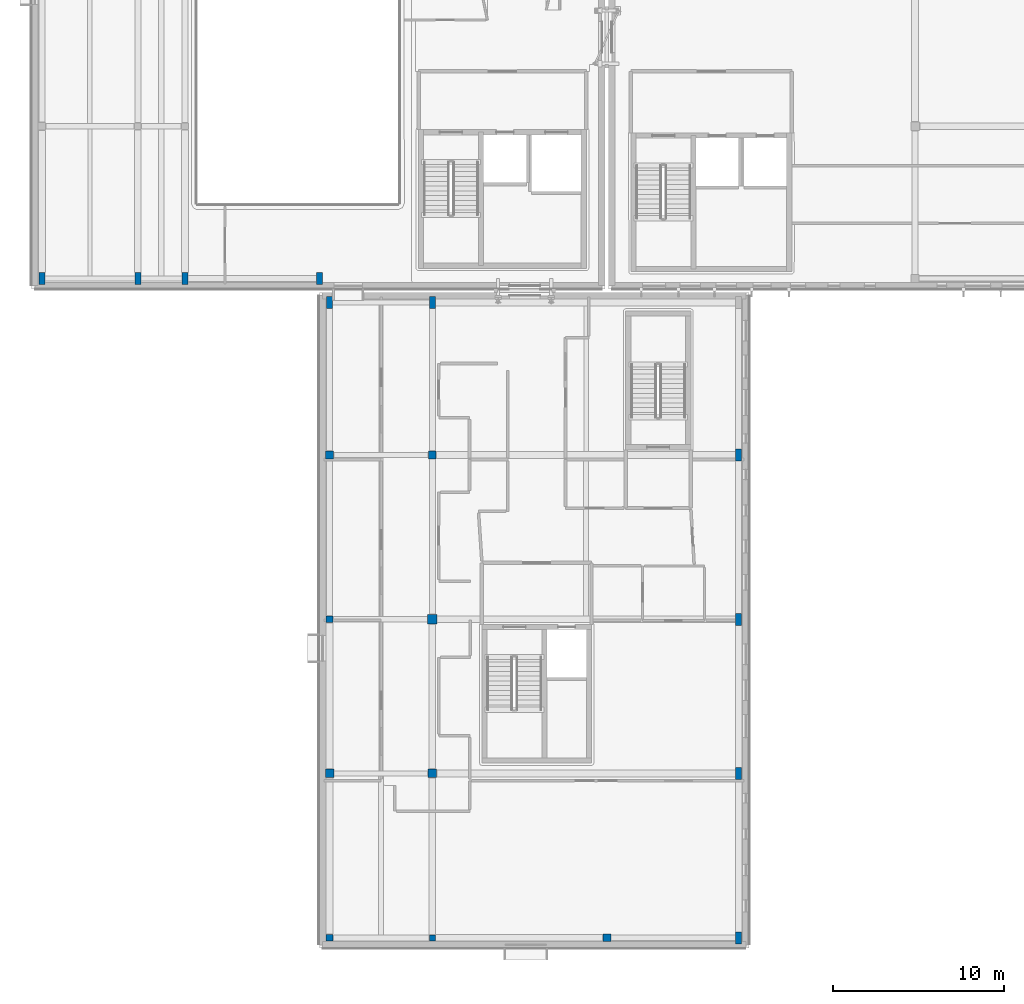
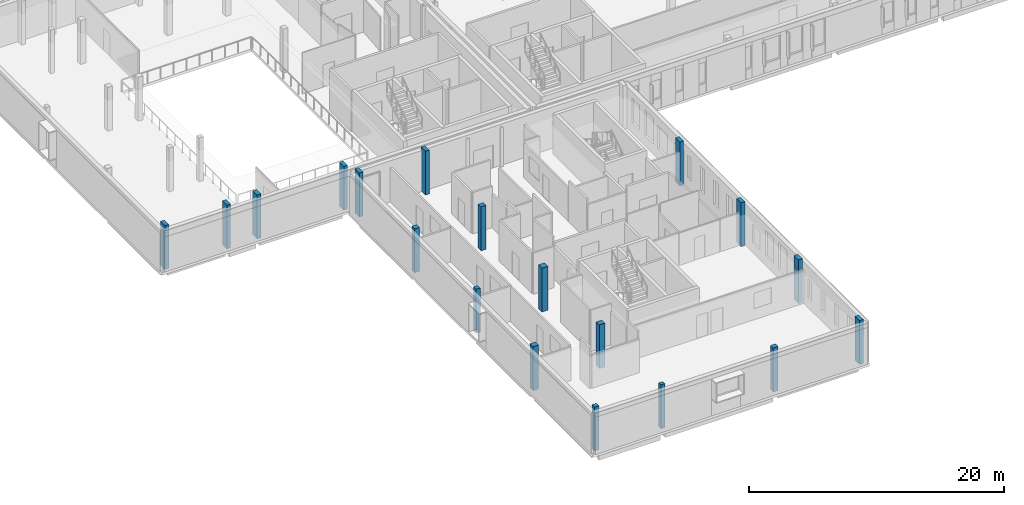
# One storey, part 1 of 84: 19 columns.
"""IFC4 building model written with IfcOpenShell, lengths in metres."""

from ifc_helpers import new_model, si_unit, direction, frame, origin, origin_2d, place, context, subcontext, project, spatial, rectangle, extrude, material, material_profile, profile_set, type_object, element, save


model = new_model("IFC4")

# Units and contexts
model_context = context("Model", 3, precision=1e-05, world=origin(), true_north=direction((0.0, 1.0)))
body_context = subcontext(model_context, "Body", "Model", "MODEL_VIEW")
ifc_project = project(units=[si_unit("LENGTHUNIT", "METRE"), si_unit("AREAUNIT", "SQUARE_METRE"), si_unit("VOLUMEUNIT", "CUBIC_METRE"), si_unit("PLANEANGLEUNIT", "RADIAN"), si_unit("MASSUNIT", "GRAM", prefix="KILO")], contexts=[model_context])

# Site, building, storey
site_placement = place(None, origin())
site = spatial("IfcSite", under=ifc_project, at=site_placement, CompositionType="ELEMENT")
building_placement = place(site_placement, origin())
building = spatial("IfcBuilding", under=site, at=building_placement, Name="Mzevani Central Library", CompositionType="ELEMENT")
storey_placement = place(building_placement, frame((0.0, 0.0, 5.39990234375)))
storey = spatial("IfcBuildingStorey", under=building, at=storey_placement, Name="L01", CompositionType="ELEMENT", Elevation=5.39990234375)

# Columns
ifc_material = material(Name="Concrete C40/50", Category="concrete")
ifc_material_profile_1 = material_profile(ifc_material, rectangle(XDim=0.35009765625, YDim=0.35009765625, at=origin_2d()), Name="RC 350x350")
ifc_profile_set_1 = profile_set([ifc_material_profile_1], Name="Concrete C40/50")
column_type_1 = type_object("IfcColumnType", Name="Column RC 350x350", PredefinedType="COLUMN", material=ifc_profile_set_1)
column_1_placement = place(storey_placement, frame((35.800048828125, 4.60009765625, 0.0), z_axis=(0.0, 0.0, 1.0), x_axis=(1.0, 0.0, 0.0)))
element("IfcColumn", 1, at=column_1_placement, inside=storey, type_object=column_type_1, Name="L01 V4 Column C-01 (171)", PredefinedType="COLUMN", context=body_context, shape_type="SweptSolid", body=[
    extrude(rectangle(XDim=0.35009765625, YDim=0.35009765625, at=origin_2d()), origin(), (0.0, 0.0, 1.0), 4.2001953125),
])
ifc_material_profile_2 = material_profile(ifc_material, rectangle(XDim=0.39990234375, YDim=0.39990234375, at=origin_2d()), Name="RC 400x400")
ifc_profile_set_2 = profile_set([ifc_material_profile_2], Name="Concrete C40/50")
column_type_2 = type_object("IfcColumnType", Name="Column RC 400x400", PredefinedType="COLUMN", material=ifc_profile_set_2)
for number, where, z_axis, x_axis, name in (
    (2, (29.800048828125, 4.60009765625, 0.0), (0.0, 0.0, 1.0), (1.0, 0.0, 0.0), "L01 V4 Column C-02 (166)"),
    (3, (29.800048828125, 23.199951171875, 0.0), (0.0, 0.0, 1.0), (1.0, 0.0, 0.0), "L01 V4 Column C-02 (168)"),
):
    element("IfcColumn", number, at=place(storey_placement, frame(where, z_axis=z_axis, x_axis=x_axis)), inside=storey, type_object=column_type_2, Name=name, PredefinedType="COLUMN", context=body_context, shape_type="SweptSolid", body=[
        extrude(rectangle(XDim=0.39990234375, YDim=0.39990234375, at=origin_2d()), origin(), (0.0, 0.0, 1.0), 4.2001953125),
    ])
ifc_material_profile_3 = material_profile(ifc_material, rectangle(XDim=0.449951171875, YDim=0.449951171875, at=origin_2d()), Name="RC 450x450")
ifc_profile_set_3 = profile_set([ifc_material_profile_3], Name="Concrete C40/50")
column_type_3 = type_object("IfcColumnType", Name="Column RC 450x450", PredefinedType="COLUMN", material=ifc_profile_set_3)
for number, where, z_axis, x_axis, name in (
    (4, (29.800048828125, 32.800048828125, 0.0), (0.0, 0.0, 1.0), (1.0, 0.0, 0.0), "L01 V4 Column C-03 (169)"),
    (5, (35.800048828125, 32.800048828125, 0.0), (0.0, 0.0, 1.0), (1.0, 0.0, 0.0), "L01 V4 Column C-03 (174)"),
    (6, (46.0, 4.60009765625, 0.0), (0.0, 0.0, 1.0), (1.0, 0.0, 0.0), "L01 V4 Column C-03 (176)"),
):
    element("IfcColumn", number, at=place(storey_placement, frame(where, z_axis=z_axis, x_axis=x_axis)), inside=storey, type_object=column_type_3, Name=name, PredefinedType="COLUMN", context=body_context, shape_type="SweptSolid", body=[
        extrude(rectangle(XDim=0.449951171875, YDim=0.449951171875, at=origin_2d()), origin(), (0.0, 0.0, 1.0), 4.2001953125),
    ])
ifc_material_profile_4 = material_profile(ifc_material, rectangle(XDim=0.5, YDim=0.5, at=origin_2d()), Name="RC 500x500")
ifc_profile_set_4 = profile_set([ifc_material_profile_4], Name="Concrete C40/50")
column_type_4 = type_object("IfcColumnType", Name="Column RC 500x500", PredefinedType="COLUMN", material=ifc_profile_set_4)
for number, where, z_axis, x_axis, name in (
    (7, (29.800048828125, 14.199951171875, 0.0), (0.0, 0.0, 1.0), (1.0, 0.0, 0.0), "L01 V4 Column C-04 (167)"),
    (8, (35.800048828125, 14.199951171875, 0.0), (0.0, 0.0, 1.0), (1.0, 0.0, 0.0), "L01 V4 Column C-04 (172)"),
):
    element("IfcColumn", number, at=place(storey_placement, frame(where, z_axis=z_axis, x_axis=x_axis)), inside=storey, type_object=column_type_4, Name=name, PredefinedType="COLUMN", context=body_context, shape_type="SweptSolid", body=[
        extrude(rectangle(XDim=0.5, YDim=0.5, at=origin_2d()), origin(), (0.0, 0.0, 1.0), 4.2001953125),
    ])
ifc_material_profile_5 = material_profile(ifc_material, rectangle(XDim=0.550048828125, YDim=0.550048828125, at=origin_2d()), Name="RC 550x550")
ifc_profile_set_5 = profile_set([ifc_material_profile_5], Name="Concrete C40/50")
column_type_5 = type_object("IfcColumnType", Name="Column RC 550x550", PredefinedType="COLUMN", material=ifc_profile_set_5)
column_2_placement = place(storey_placement, frame((35.800048828125, 23.199951171875, 0.0), z_axis=(0.0, 0.0, 1.0), x_axis=(1.0, 0.0, 0.0)))
element("IfcColumn", 9, at=column_2_placement, inside=storey, type_object=column_type_5, Name="L01 V4 Column C-05 (173)", PredefinedType="COLUMN", context=body_context, shape_type="SweptSolid", body=[
    extrude(rectangle(XDim=0.550048828125, YDim=0.550048828125, at=origin_2d()), origin(), (0.0, 0.0, 1.0), 4.2001953125),
])
ifc_material_profile_6 = material_profile(ifc_material, rectangle(XDim=0.35009765625, YDim=0.699951171875, at=origin_2d()), Name="RC 350x700")
ifc_profile_set_6 = profile_set([ifc_material_profile_6], Name="Concrete C40/50")
column_type_6 = type_object("IfcColumnType", Name="Joint Twin Column RC 350x700", PredefinedType="COLUMN", material=ifc_profile_set_6)
for number, where, z_axis, x_axis, name in (
    (10, (29.800048828125, 41.699951171875, 0.0), (0.0, 0.0, 1.0), (1.0, 0.0, 0.0), "L01 V4 Column C-18 (170)"),
    (11, (35.800048828125, 41.699951171875, 0.0), (0.0, 0.0, 1.0), (1.0, 0.0, 0.0), "L01 V4 Column C-18 (175)"),
    (12, (53.699951171875, 4.60009765625, 0.0), (0.0, 0.0, 1.0), (1.0, 0.0, 0.0), "L01 V4 Column C-18 (177)"),
    (13, (53.699951171875, 14.199951171875, 0.0), (0.0, 0.0, 1.0), (1.0, 0.0, 0.0), "L01 V4 Column C-18 (178)"),
    (14, (53.699951171875, 23.199951171875, 0.0), (0.0, 0.0, 1.0), (1.0, 0.0, 0.0), "L01 V4 Column C-18 (179)"),
    (15, (53.699951171875, 32.800048828125, 0.0), (0.0, 0.0, 1.0), (1.0, 0.0, 0.0), "L01 V4 Column C-18 (180)"),
    (16, (13.0, 43.10009765625, 0.0), (0.0, 0.0, 1.0), (1.0, 0.0, 0.0), "L01 V5 Column C-18 (187)"),
    (17, (18.60009765625, 43.10009765625, 0.0), (0.0, 0.0, 1.0), (1.0, 0.0, 0.0), "L01 V5 Column C-18 (192)"),
    (18, (21.35009765625, 43.10009765625, 0.0), (0.0, 0.0, 1.0), (1.0, 0.0, 0.0), "L01 V5 Column C-18 (197)"),
    (19, (29.199951171875, 43.10009765625, 0.0), (0.0, 0.0, 1.0), (1.0, 0.0, 0.0), "L01 V5 Column C-18 (202)"),
):
    element("IfcColumn", number, at=place(storey_placement, frame(where, z_axis=z_axis, x_axis=x_axis)), inside=storey, type_object=column_type_6, Name=name, PredefinedType="COLUMN", context=body_context, shape_type="SweptSolid", body=[
        extrude(rectangle(XDim=0.35009765625, YDim=0.699951171875, at=origin_2d()), origin(), (0.0, 0.0, 1.0), 4.2001953125),
    ])

save(model, "model.ifc")
